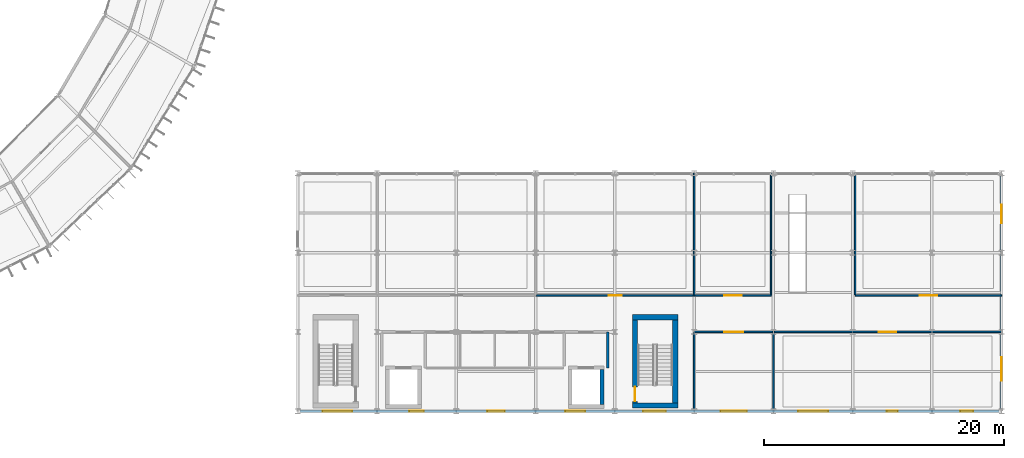
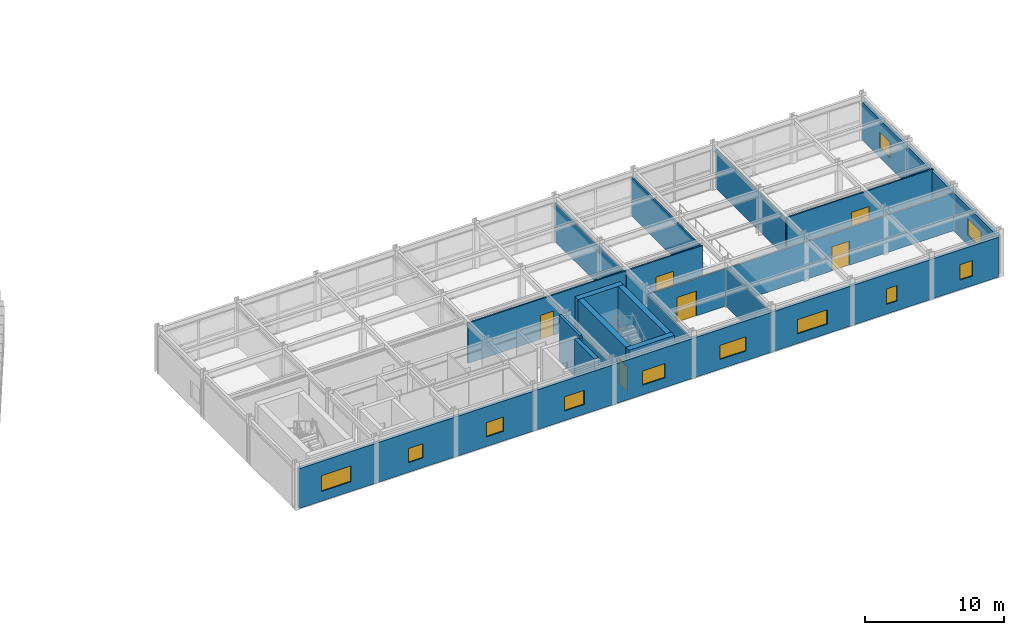
# One storey, part 130 of 147: 18 walls, 11 windows, 6 doors, 17 openings.
"""IFC4 building model written with IfcOpenShell, lengths in metres."""

from ifc_helpers import new_model, si_unit, direction, frame, frame_2d, origin, place, context, subcontext, project, spatial, rectangle, extrude, material, layer, layer_set, type_object, element, fill, save


model = new_model("IFC4")

# Units and contexts
model_context = context("Model", 3, precision=1e-05, world=origin(), true_north=direction((0.0, 1.0)))
body_context = subcontext(model_context, "Body", "Model", "MODEL_VIEW")
ifc_project = project(units=[si_unit("LENGTHUNIT", "METRE"), si_unit("AREAUNIT", "SQUARE_METRE"), si_unit("VOLUMEUNIT", "CUBIC_METRE"), si_unit("PLANEANGLEUNIT", "RADIAN"), si_unit("MASSUNIT", "GRAM", prefix="KILO")], contexts=[model_context])

# Site, building, storey
site_placement = place(None, origin())
site = spatial("IfcSite", under=ifc_project, at=site_placement, CompositionType="ELEMENT")
building_placement = place(site_placement, origin())
building = spatial("IfcBuilding", under=site, at=building_placement, Name="Karori Crest Natural Sciences Institute", CompositionType="ELEMENT")
storey_placement = place(building_placement, frame((0.0, 0.0, 9.10009765625)))
storey = spatial("IfcBuildingStorey", under=building, at=storey_placement, Name="L02", CompositionType="ELEMENT", Elevation=9.10009765625)

# Walls
ifc_material_1 = material(Name="Concrete 50 MPa", Category="concrete")
ifc_layer_1 = layer(ifc_material_1, 0.449951171875, Name="Concrete 50 MPa")
ifc_layer_set_1 = layer_set([ifc_layer_1], Name="Concrete 50 MPa")
wall_type_1 = type_object("IfcWallType", Name="IWT-01", PredefinedType="SHEAR", material=ifc_layer_set_1)
for number, where, z_axis, x_axis, name in (
    (1, (131.449951171875, 1.27490234375, 0.0), (0.0, 0.0, 1.0), (1.0, 0.0, 0.0), "Shear wall IW-0129"),
    (2, (131.449951171875, 8.625, 0.0), (0.0, 0.0, 1.0), (1.0, 0.0, 0.0), "Shear wall IW-0130"),
):
    element("IfcWall", number, at=place(storey_placement, frame(where, z_axis=z_axis, x_axis=x_axis)), inside=storey, type_object=wall_type_1, Name=name, PredefinedType="SHEAR", context=body_context, shape_type="SweptSolid", body=[
        extrude(rectangle(XDim=3.800048828125, YDim=0.449951171875, at=frame_2d((1.89990234375, 0.0))), origin(), (0.0, 0.0, 1.0), 4.02001953125),
    ])

# Wall, opening, door
wall_1_placement = place(storey_placement, frame((131.675048828125, 1.501953125, 0.0), z_axis=(0.0, 0.0, 1.0), x_axis=(0.0, 1.0, 0.0)))
wall_1 = element("IfcWall", 3, at=wall_1_placement, inside=storey, type_object=wall_type_1, Name="Shear wall IW-0131", PredefinedType="SHEAR", context=body_context, shape_type="SweptSolid", body=[
    extrude(rectangle(XDim=6.89599609375, YDim=0.449951171875, at=frame_2d((3.447998046875, 0.0))), origin(), (0.0, 0.0, 1.0), 4.02001953125),
])
opening_1_placement = place(wall_1_placement, frame((0.1201171875, 0.0, 0.0)))
opening_1 = element("IfcOpeningElement", 4, at=opening_1_placement, cuts=wall_1, Name="Opening ID-0033", PredefinedType="OPENING", context=body_context, shape_type="SweptSolid", body=[
    extrude(rectangle(XDim=1.199951171875, YDim=2.14990234375, at=frame_2d((0.60009765625, 1.074951171875))), frame((0.0, 0.23486328125, 0.0), z_axis=(0.0, -1.0, 0.0), x_axis=(1.0, 0.0, 0.0)), (0.0, 0.0, 1.0), 0.469970703125),
])
ifc_material_2 = material(Name="Stainless steel 316 and fire-rated timber", Category="steel")
door_type_1 = type_object("IfcDoorType", Name="IDT-01", OperationType="NOTDEFINED", PredefinedType="DOOR", material=ifc_material_2)
door_1_placement = place(opening_1_placement, origin())
door_1 = element("IfcDoor", 5, at=door_1_placement, inside=storey, type_object=door_type_1, Name="Stair ST-04 fire door ID-0033", OperationType="SINGLE_SWING_LEFT", OverallHeight=2.14990234375, OverallWidth=1.199951171875, PredefinedType="DOOR", context=body_context, shape_type="SweptSolid", body=[
    extrude(rectangle(XDim=1.199951171875, YDim=2.14990234375, at=frame_2d((0.60009765625, 1.074951171875))), frame((0.0, 0.02490234375, 0.0), z_axis=(0.0, -1.0, 0.0), x_axis=(1.0, 0.0, 0.0)), (0.0, 0.0, 1.0), 0.050048828125),
])
fill(opening_1, door_1)

# Walls
wall_2_placement = place(storey_placement, frame((135.02490234375, 1.501953125, 0.0), z_axis=(0.0, 0.0, 1.0), x_axis=(0.0, 1.0, 0.0)))
element("IfcWall", 6, at=wall_2_placement, inside=storey, type_object=wall_type_1, Name="Shear wall IW-0132", PredefinedType="SHEAR", context=body_context, shape_type="SweptSolid", body=[
    extrude(rectangle(XDim=6.89599609375, YDim=0.449951171875, at=frame_2d((3.447998046875, 0.0))), origin(), (0.0, 0.0, 1.0), 4.02001953125),
])
ifc_layer_2 = layer(ifc_material_1, 0.320068359375, Name="Concrete 50 MPa")
ifc_layer_set_2 = layer_set([ifc_layer_2], Name="Concrete 50 MPa")
wall_type_2 = type_object("IfcWallType", Name="IWT-03", PredefinedType="SHEAR", material=ifc_layer_set_2)
wall_3_placement = place(storey_placement, frame((128.919921875, 1.342041015625, 0.0), z_axis=(0.0, 0.0, 1.0), x_axis=(0.0, 1.0, 0.0)))
element("IfcWall", 7, at=wall_3_placement, inside=storey, type_object=wall_type_2, Name="Shear wall IW-0368", PredefinedType="SHEAR", context=body_context, shape_type="SweptSolid", body=[
    extrude(rectangle(XDim=2.916015625, YDim=0.320068359375, at=frame_2d((1.4580078125, 0.0))), origin(), (0.0, 0.0, 1.0), 4.02001953125),
])
ifc_material_3 = material(Name="Concrete 40 MPa", Category="concrete")
ifc_layer_3 = layer(ifc_material_3, 0.199951171875, Name="Concrete 40 MPa")
ifc_layer_set_3 = layer_set([ifc_layer_3], Name="Concrete 40 MPa")
wall_type_3 = type_object("IfcWallType", Name="IWT-04", PredefinedType="SOLIDWALL", material=ifc_layer_set_3)
wall_4_placement = place(storey_placement, frame((129.39990234375, 4.39990234375, 0.0), z_axis=(0.0, 0.0, 1.0), x_axis=(0.0, 1.0, 0.0)))
element("IfcWall", 8, at=wall_4_placement, inside=storey, type_object=wall_type_3, Name="Partition wall IW-0636", PredefinedType="SOLIDWALL", context=body_context, shape_type="SweptSolid", body=[
    extrude(rectangle(XDim=3.0, YDim=0.199951171875, at=frame_2d((1.5, 0.0))), origin(), (0.0, 0.0, 1.0), 4.02001953125),
])

# Wall, opening, door
ifc_material_4 = material(Name="Write-up office acoustic partition")
ifc_layer_4 = layer(ifc_material_4, 0.1201171875, Name="Write-up office acoustic partition")
ifc_layer_set_4 = layer_set([ifc_layer_4], Name="Write-up office acoustic partition")
wall_type_4 = type_object("IfcWallType", Name="IWT-08", PredefinedType="PARTITIONING", material=ifc_layer_set_4)
wall_5_placement = place(storey_placement, frame((136.60009765625, 7.39990234375, 0.0), z_axis=(0.0, 0.0, 1.0), x_axis=(1.0, 0.0, 0.0)))
wall_5 = element("IfcWall", 9, at=wall_5_placement, inside=storey, type_object=wall_type_4, Name="Partition wall IW-0648", PredefinedType="PARTITIONING", context=body_context, shape_type="SweptSolid", body=[
    extrude(rectangle(XDim=6.599853515625, YDim=0.1201171875, at=frame_2d((3.2998046875, 0.0))), origin(), (0.0, 0.0, 1.0), 3.29296875),
])
opening_2_placement = place(wall_5_placement, frame((2.5, 0.0, 0.0)))
opening_2 = element("IfcOpeningElement", 10, at=opening_2_placement, cuts=wall_5, Name="Opening ID-0117", PredefinedType="OPENING", context=body_context, shape_type="SweptSolid", body=[
    extrude(rectangle(XDim=1.60009765625, YDim=2.179931640625, at=frame_2d((0.800048828125, 1.08984375))), frame((0.0, 0.070068359375, 0.0), z_axis=(0.0, -1.0, 0.0), x_axis=(1.0, 0.0, 0.0)), (0.0, 0.0, 1.0), 0.14013671875),
])
ifc_material_5 = material(Name="Anodised aluminium and acoustic timber", Category="wood")
door_type_2 = type_object("IfcDoorType", Name="IDT-13", OperationType="DOUBLE_DOOR_SINGLE_SWING", PredefinedType="DOOR", material=ifc_material_5)
door_2_placement = place(opening_2_placement, origin())
door_2 = element("IfcDoor", 11, at=door_2_placement, inside=storey, type_object=door_type_2, Name="Seminar Room door ID-0117", OperationType="DOUBLE_DOOR_SINGLE_SWING", OverallHeight=2.179931640625, OverallWidth=1.60009765625, PredefinedType="DOOR", context=body_context, shape_type="SweptSolid", body=[
    extrude(rectangle(XDim=1.60009765625, YDim=2.179931640625, at=frame_2d((0.800048828125, 1.08984375))), frame((0.0, 0.02490234375, 0.0), z_axis=(0.0, -1.0, 0.0), x_axis=(1.0, 0.0, 0.0)), (0.0, 0.0, 1.0), 0.050048828125),
])
fill(opening_2, door_2)

# Walls
wall_6_placement = place(storey_placement, frame((136.60009765625, 0.94189453125, 0.0), z_axis=(0.0, 0.0, 1.0), x_axis=(0.0, 1.0, 0.0)))
element("IfcWall", 12, at=wall_6_placement, inside=storey, type_object=wall_type_4, Name="Partition wall IW-0649", PredefinedType="PARTITIONING", context=body_context, shape_type="SweptSolid", body=[
    extrude(rectangle(XDim=6.39599609375, YDim=0.1201171875, at=frame_2d((3.197998046875, 0.0))), origin(), (0.0, 0.0, 1.0), 3.371826171875),
])
wall_7_placement = place(storey_placement, frame((143.199951171875, 0.94189453125, 0.0), z_axis=(0.0, 0.0, 1.0), x_axis=(0.0, 1.0, 0.0)))
element("IfcWall", 13, at=wall_7_placement, inside=storey, type_object=wall_type_4, Name="Partition wall IW-0650", PredefinedType="PARTITIONING", context=body_context, shape_type="SweptSolid", body=[
    extrude(rectangle(XDim=6.4580078125, YDim=0.1201171875, at=frame_2d((3.22900390625, 0.0))), origin(), (0.0, 0.0, 1.0), 3.371826171875),
])

# Wall, opening, door
wall_8_placement = place(storey_placement, frame((143.201904296875, 7.39990234375, 0.0), z_axis=(0.0, 0.0, 1.0), x_axis=(1.0, 0.0, 0.0)))
wall_8 = element("IfcWall", 14, at=wall_8_placement, inside=storey, type_object=wall_type_4, Name="Partition wall IW-0651", PredefinedType="PARTITIONING", context=body_context, shape_type="SweptSolid", body=[
    extrude(rectangle(XDim=18.998046875, YDim=0.1201171875, at=frame_2d((9.4990234375, 0.0))), origin(), (0.0, 0.0, 1.0), 3.29296875),
])
opening_3_placement = place(wall_8_placement, frame((8.77392578125, 0.0, 0.0)))
opening_3 = element("IfcOpeningElement", 15, at=opening_3_placement, cuts=wall_8, Name="Opening ID-0118", PredefinedType="OPENING", context=body_context, shape_type="SweptSolid", body=[
    extrude(rectangle(XDim=1.449951171875, YDim=2.1201171875, at=frame_2d((0.72509765625, 1.06005859375))), frame((0.0, 0.070068359375, 0.0), z_axis=(0.0, -1.0, 0.0), x_axis=(1.0, 0.0, 0.0)), (0.0, 0.0, 1.0), 0.14013671875),
])
door_type_3 = type_object("IfcDoorType", Name="IDT-11", OperationType="DOUBLE_DOOR_SINGLE_SWING", PredefinedType="DOOR", material=ifc_material_5)
door_3_placement = place(opening_3_placement, origin())
door_3 = element("IfcDoor", 16, at=door_3_placement, inside=storey, type_object=door_type_3, Name="Research Library Reading Room door ID-0118", OperationType="DOUBLE_DOOR_SINGLE_SWING", OverallHeight=2.1201171875, OverallWidth=1.449951171875, PredefinedType="DOOR", context=body_context, shape_type="SweptSolid", body=[
    extrude(rectangle(XDim=1.449951171875, YDim=2.1201171875, at=frame_2d((0.72509765625, 1.06005859375))), frame((0.0, 0.02490234375, 0.0), z_axis=(0.0, -1.0, 0.0), x_axis=(1.0, 0.0, 0.0)), (0.0, 0.0, 1.0), 0.050048828125),
])
fill(opening_3, door_3)

wall_9_placement = place(storey_placement, frame((123.4619140625, 10.449951171875, 0.0), z_axis=(0.0, 0.0, 1.0), x_axis=(1.0, 0.0, 0.0)))
wall_9 = element("IfcWall", 17, at=wall_9_placement, inside=storey, type_object=wall_type_4, Name="Partition wall IW-0656", PredefinedType="PARTITIONING", context=body_context, shape_type="SweptSolid", body=[
    extrude(rectangle(XDim=13.13818359375, YDim=0.1201171875, at=frame_2d((6.569091796875, 0.0))), origin(), (0.0, 0.0, 1.0), 3.5458984375),
])
opening_4_placement = place(wall_9_placement, frame((6.029052734375, 0.0, 0.0)))
opening_4 = element("IfcOpeningElement", 18, at=opening_4_placement, cuts=wall_9, Name="Opening ID-0121", PredefinedType="OPENING", context=body_context, shape_type="SweptSolid", body=[
    extrude(rectangle(XDim=1.080078125, YDim=2.1201171875, at=frame_2d((0.5400390625, 1.06005859375))), frame((0.0, 0.070068359375, 0.0), z_axis=(0.0, -1.0, 0.0), x_axis=(1.0, 0.0, 0.0)), (0.0, 0.0, 1.0), 0.14013671875),
])
door_type_4 = type_object("IfcDoorType", Name="IDT-12", OperationType="NOTDEFINED", PredefinedType="DOOR", material=ifc_material_5)
door_4_placement = place(opening_4_placement, origin())
door_4 = element("IfcDoor", 19, at=door_4_placement, inside=storey, type_object=door_type_4, Name="Genomics Dry Studio door ID-0121", OperationType="SINGLE_SWING_RIGHT", OverallHeight=2.1201171875, OverallWidth=1.080078125, PredefinedType="DOOR", context=body_context, shape_type="SweptSolid", body=[
    extrude(rectangle(XDim=1.080078125, YDim=2.1201171875, at=frame_2d((0.5400390625, 1.06005859375))), frame((0.0, 0.02490234375, 0.0), z_axis=(0.0, -1.0, 0.0), x_axis=(1.0, 0.0, 0.0)), (0.0, 0.0, 1.0), 0.050048828125),
])
fill(opening_4, door_4)

# Wall
wall_10_placement = place(storey_placement, frame((136.60009765625, 10.449951171875, 0.0), z_axis=(0.0, 0.0, 1.0), x_axis=(0.0, 1.0, 0.0)))
element("IfcWall", 20, at=wall_10_placement, inside=storey, type_object=wall_type_4, Name="Partition wall IW-0657", PredefinedType="PARTITIONING", context=body_context, shape_type="SweptSolid", body=[
    extrude(rectangle(XDim=10.150146484375, YDim=0.1201171875, at=frame_2d((5.0751953125, 0.0))), origin(), (0.0, 0.0, 1.0), 3.371826171875),
])

# Wall, opening, door
wall_11_placement = place(storey_placement, frame((136.662109375, 10.449951171875, 0.0), z_axis=(0.0, 0.0, 1.0), x_axis=(1.0, 0.0, 0.0)))
wall_11 = element("IfcWall", 21, at=wall_11_placement, inside=storey, type_object=wall_type_4, Name="Partition wall IW-0658", PredefinedType="PARTITIONING", context=body_context, shape_type="SweptSolid", body=[
    extrude(rectangle(XDim=6.337890625, YDim=0.1201171875, at=frame_2d((3.1689453125, 0.0))), origin(), (0.0, 0.0, 1.0), 3.5458984375),
])
opening_5_placement = place(wall_11_placement, frame((2.444091796875, 0.0, 0.0)))
opening_5 = element("IfcOpeningElement", 22, at=opening_5_placement, cuts=wall_11, Name="Opening ID-0122", PredefinedType="OPENING", context=body_context, shape_type="SweptSolid", body=[
    extrude(rectangle(XDim=1.449951171875, YDim=2.1201171875, at=frame_2d((0.72509765625, 1.06005859375))), frame((0.0, 0.070068359375, 0.0), z_axis=(0.0, -1.0, 0.0), x_axis=(1.0, 0.0, 0.0)), (0.0, 0.0, 1.0), 0.14013671875),
])
door_5_placement = place(opening_5_placement, origin())
door_5 = element("IfcDoor", 23, at=door_5_placement, inside=storey, type_object=door_type_3, Name="Research Colloquium Room door ID-0122", OperationType="DOUBLE_DOOR_SINGLE_SWING", OverallHeight=2.1201171875, OverallWidth=1.449951171875, PredefinedType="DOOR", context=body_context, shape_type="SweptSolid", body=[
    extrude(rectangle(XDim=1.449951171875, YDim=2.1201171875, at=frame_2d((0.72509765625, 1.06005859375))), frame((0.0, 0.02490234375, 0.0), z_axis=(0.0, -1.0, 0.0), x_axis=(1.0, 0.0, 0.0)), (0.0, 0.0, 1.0), 0.050048828125),
])
fill(opening_5, door_5)

# Wall
wall_12_placement = place(storey_placement, frame((143.0, 10.449951171875, 0.0), z_axis=(0.0, 0.0, 1.0), x_axis=(0.0, 1.0, 0.0)))
element("IfcWall", 24, at=wall_12_placement, inside=storey, type_object=wall_type_4, Name="Partition wall IW-0659", PredefinedType="PARTITIONING", context=body_context, shape_type="SweptSolid", body=[
    extrude(rectangle(XDim=10.150146484375, YDim=0.1201171875, at=frame_2d((5.0751953125, 0.0))), origin(), (0.0, 0.0, 1.0), 3.371826171875),
])

# Wall, opening, door
wall_13_placement = place(storey_placement, frame((150.0, 10.449951171875, 0.0), z_axis=(0.0, 0.0, 1.0), x_axis=(1.0, 0.0, 0.0)))
wall_13 = element("IfcWall", 25, at=wall_13_placement, inside=storey, type_object=wall_type_4, Name="Partition wall IW-0660", PredefinedType="PARTITIONING", context=body_context, shape_type="SweptSolid", body=[
    extrude(rectangle(XDim=12.199951171875, YDim=0.1201171875, at=frame_2d((6.10009765625, 0.0))), origin(), (0.0, 0.0, 1.0), 3.5458984375),
])
opening_6_placement = place(wall_13_placement, frame((5.375, 0.0, 0.0)))
opening_6 = element("IfcOpeningElement", 26, at=opening_6_placement, cuts=wall_13, Name="Opening ID-0123", PredefinedType="OPENING", context=body_context, shape_type="SweptSolid", body=[
    extrude(rectangle(XDim=1.449951171875, YDim=2.1201171875, at=frame_2d((0.72509765625, 1.06005859375))), frame((0.0, 0.070068359375, 0.0), z_axis=(0.0, -1.0, 0.0), x_axis=(1.0, 0.0, 0.0)), (0.0, 0.0, 1.0), 0.14013671875),
])
door_6_placement = place(opening_6_placement, origin())
door_6 = element("IfcDoor", 27, at=door_6_placement, inside=storey, type_object=door_type_3, Name="Research Colloquium Room door ID-0123", OperationType="DOUBLE_DOOR_SINGLE_SWING", OverallHeight=2.1201171875, OverallWidth=1.449951171875, PredefinedType="DOOR", context=body_context, shape_type="SweptSolid", body=[
    extrude(rectangle(XDim=1.449951171875, YDim=2.1201171875, at=frame_2d((0.72509765625, 1.06005859375))), frame((0.0, 0.02490234375, 0.0), z_axis=(0.0, -1.0, 0.0), x_axis=(1.0, 0.0, 0.0)), (0.0, 0.0, 1.0), 0.050048828125),
])
fill(opening_6, door_6)

# Wall
wall_14_placement = place(storey_placement, frame((150.0, 10.511962890625, 0.0), z_axis=(0.0, 0.0, 1.0), x_axis=(0.0, 1.0, 0.0)))
element("IfcWall", 28, at=wall_14_placement, inside=storey, type_object=wall_type_4, Name="Partition wall IW-0661", PredefinedType="PARTITIONING", context=body_context, shape_type="SweptSolid", body=[
    extrude(rectangle(XDim=10.088134765625, YDim=0.1201171875, at=frame_2d((5.0439453125, 0.0))), origin(), (0.0, 0.0, 1.0), 3.371826171875),
])

# Wall, openings, windows
ifc_material_6 = material(Name="Precast concrete 40 MPa", Category="concrete")
ifc_layer_5 = layer(ifc_material_6, 0.239990234375, Name="Precast concrete 40 MPa")
ifc_layer_set_5 = layer_set([ifc_layer_5], Name="Precast concrete 40 MPa")
wall_type_5 = type_object("IfcWallType", Name="WT-04", PredefinedType="SOLIDWALL", material=ifc_layer_set_5)
wall_15_placement = place(storey_placement, frame((162.199951171875, 20.402099609375, 0.0), z_axis=(0.0, 0.0, 1.0), x_axis=(0.0, -1.0, 0.0)))
wall_15 = element("IfcWall", 29, at=wall_15_placement, inside=storey, type_object=wall_type_5, Name="Exterior wall EW-0201", PredefinedType="SOLIDWALL", context=body_context, shape_type="SweptSolid", body=[
    extrude(rectangle(XDim=19.404052734375, YDim=0.239990234375, at=frame_2d((9.7021484375, 0.0))), origin(), (0.0, 0.0, 1.0), 3.371826171875),
])
opening_7_placement = place(wall_15_placement, frame((2.39990234375, 0.0, 0.85009765625)))
opening_7 = element("IfcOpeningElement", 30, at=opening_7_placement, cuts=wall_15, Name="Opening WN-0145", PredefinedType="OPENING", context=body_context, shape_type="SweptSolid", body=[
    extrude(rectangle(XDim=1.550048828125, YDim=1.39990234375, at=frame_2d((0.77490234375, 0.699951171875))), frame((0.0, 0.1298828125, 0.0), z_axis=(0.0, -1.0, 0.0), x_axis=(1.0, 0.0, 0.0)), (0.0, 0.0, 1.0), 0.260009765625),
])
opening_8_placement = place(wall_15_placement, frame((15.10009765625, 0.0, 0.85009765625)))
opening_8 = element("IfcOpeningElement", 31, at=opening_8_placement, cuts=wall_15, Name="Opening WN-0146", PredefinedType="OPENING", context=body_context, shape_type="SweptSolid", body=[
    extrude(rectangle(XDim=1.949951171875, YDim=1.5, at=frame_2d((0.97509765625, 0.75))), frame((0.0, 0.1298828125, 0.0), z_axis=(0.0, -1.0, 0.0), x_axis=(1.0, 0.0, 0.0)), (0.0, 0.0, 1.0), 0.260009765625),
])
ifc_material_7 = material(Name="Double low-E laminated glass", Category="glass")
window_type_1 = type_object("IfcWindowType", Name="WNT-04", PartitioningType="SINGLE_PANEL", PredefinedType="WINDOW", material=ifc_material_7)
window_1_placement = place(opening_7_placement, origin())
window_1 = element("IfcWindow", 32, at=window_1_placement, inside=storey, type_object=window_type_1, Name="Window WN-0145", OverallHeight=1.39990234375, OverallWidth=1.550048828125, PartitioningType="SINGLE_PANEL", PredefinedType="WINDOW", context=body_context, shape_type="SweptSolid", body=[
    extrude(rectangle(XDim=1.550048828125, YDim=1.39990234375, at=frame_2d((0.77490234375, 0.699951171875))), frame((0.0, 0.030029296875, 0.0), z_axis=(0.0, -1.0, 0.0), x_axis=(1.0, 0.0, 0.0)), (0.0, 0.0, 1.0), 0.06005859375),
])
fill(opening_7, window_1)
window_type_2 = type_object("IfcWindowType", Name="WNT-21", PartitioningType="SINGLE_PANEL", PredefinedType="WINDOW", material=ifc_material_7)
window_2_placement = place(opening_8_placement, origin())
window_2 = element("IfcWindow", 33, at=window_2_placement, inside=storey, type_object=window_type_2, Name="Window WN-0146", OverallHeight=1.5, OverallWidth=1.949951171875, PartitioningType="SINGLE_PANEL", PredefinedType="WINDOW", context=body_context, shape_type="SweptSolid", body=[
    extrude(rectangle(XDim=1.949951171875, YDim=1.5, at=frame_2d((0.97509765625, 0.75))), frame((0.0, 0.030029296875, 0.0), z_axis=(0.0, -1.0, 0.0), x_axis=(1.0, 0.0, 0.0)), (0.0, 0.0, 1.0), 0.06005859375),
])
fill(opening_8, window_2)

wall_16_placement = place(storey_placement, frame((162.001953125, 0.800048828125, 0.0), z_axis=(0.0, 0.0, 1.0), x_axis=(-1.0, 0.0, 0.0)))
wall_16 = element("IfcWall", 34, at=wall_16_placement, inside=storey, type_object=wall_type_5, Name="Exterior wall EW-0202", PredefinedType="SOLIDWALL", context=body_context, shape_type="SweptSolid", body=[
    extrude(rectangle(XDim=58.203857421875, YDim=0.239990234375, at=frame_2d((29.10205078125, 0.0))), origin(), (0.0, 0.0, 1.0), 3.5048828125),
])
opening_9_placement = place(wall_16_placement, frame((53.876953125, 0.0, 0.85009765625)))
opening_9 = element("IfcOpeningElement", 35, at=opening_9_placement, cuts=wall_16, Name="Opening WN-0147", PredefinedType="OPENING", context=body_context, shape_type="SweptSolid", body=[
    extrude(rectangle(XDim=2.449951171875, YDim=1.39990234375, at=frame_2d((1.22509765625, 0.699951171875))), frame((0.0, 0.1298828125, 0.0), z_axis=(0.0, -1.0, 0.0), x_axis=(1.0, 0.0, 0.0)), (0.0, 0.0, 1.0), 0.260009765625),
])
opening_10_placement = place(wall_16_placement, frame((47.902099609375, 0.0, 0.85009765625)))
opening_10 = element("IfcOpeningElement", 36, at=opening_10_placement, cuts=wall_16, Name="Opening WN-0148", PredefinedType="OPENING", context=body_context, shape_type="SweptSolid", body=[
    extrude(rectangle(XDim=1.199951171875, YDim=1.25, at=frame_2d((0.60009765625, 0.625))), frame((0.0, 0.1298828125, 0.0), z_axis=(0.0, -1.0, 0.0), x_axis=(1.0, 0.0, 0.0)), (0.0, 0.0, 1.0), 0.260009765625),
])
opening_11_placement = place(wall_16_placement, frame((41.177001953125, 0.0, 0.85009765625)))
opening_11 = element("IfcOpeningElement", 37, at=opening_11_placement, cuts=wall_16, Name="Opening WN-0149", PredefinedType="OPENING", context=body_context, shape_type="SweptSolid", body=[
    extrude(rectangle(XDim=1.449951171875, YDim=1.25, at=frame_2d((0.72509765625, 0.625))), frame((0.0, 0.1298828125, 0.0), z_axis=(0.0, -1.0, 0.0), x_axis=(1.0, 0.0, 0.0)), (0.0, 0.0, 1.0), 0.260009765625),
])
opening_12_placement = place(wall_16_placement, frame((34.47705078125, 0.0, 0.85009765625)))
opening_12 = element("IfcOpeningElement", 38, at=opening_12_placement, cuts=wall_16, Name="Opening WN-0150", PredefinedType="OPENING", context=body_context, shape_type="SweptSolid", body=[
    extrude(rectangle(XDim=1.64990234375, YDim=1.25, at=frame_2d((0.824951171875, 0.625))), frame((0.0, 0.1298828125, 0.0), z_axis=(0.0, -1.0, 0.0), x_axis=(1.0, 0.0, 0.0)), (0.0, 0.0, 1.0), 0.260009765625),
])
opening_13_placement = place(wall_16_placement, frame((27.751953125, 0.0, 0.85009765625)))
opening_13 = element("IfcOpeningElement", 39, at=opening_13_placement, cuts=wall_16, Name="Opening WN-0151", PredefinedType="OPENING", context=body_context, shape_type="SweptSolid", body=[
    extrude(rectangle(XDim=1.89990234375, YDim=1.25, at=frame_2d((0.949951171875, 0.625))), frame((0.0, 0.1298828125, 0.0), z_axis=(0.0, -1.0, 0.0), x_axis=(1.0, 0.0, 0.0)), (0.0, 0.0, 1.0), 0.260009765625),
])
opening_14_placement = place(wall_16_placement, frame((21.001953125, 0.0, 0.85009765625)))
opening_14 = element("IfcOpeningElement", 40, at=opening_14_placement, cuts=wall_16, Name="Opening WN-0152", PredefinedType="OPENING", context=body_context, shape_type="SweptSolid", body=[
    extrude(rectangle(XDim=2.199951171875, YDim=1.25, at=frame_2d((1.10009765625, 0.625))), frame((0.0, 0.1298828125, 0.0), z_axis=(0.0, -1.0, 0.0), x_axis=(1.0, 0.0, 0.0)), (0.0, 0.0, 1.0), 0.260009765625),
])
opening_15_placement = place(wall_16_placement, frame((14.251953125, 0.0, 0.85009765625)))
opening_15 = element("IfcOpeningElement", 41, at=opening_15_placement, cuts=wall_16, Name="Opening WN-0153", PredefinedType="OPENING", context=body_context, shape_type="SweptSolid", body=[
    extrude(rectangle(XDim=2.5, YDim=1.25, at=frame_2d((1.25, 0.625))), frame((0.0, 0.1298828125, 0.0), z_axis=(0.0, -1.0, 0.0), x_axis=(1.0, 0.0, 0.0)), (0.0, 0.0, 1.0), 0.260009765625),
])
opening_16_placement = place(wall_16_placement, frame((8.451904296875, 0.0, 0.85009765625)))
opening_16 = element("IfcOpeningElement", 42, at=opening_16_placement, cuts=wall_16, Name="Opening WN-0154", PredefinedType="OPENING", context=body_context, shape_type="SweptSolid", body=[
    extrude(rectangle(XDim=0.89990234375, YDim=1.35009765625, at=frame_2d((0.449951171875, 0.675048828125))), frame((0.0, 0.1298828125, 0.0), z_axis=(0.0, -1.0, 0.0), x_axis=(1.0, 0.0, 0.0)), (0.0, 0.0, 1.0), 0.260009765625),
])
opening_17_placement = place(wall_16_placement, frame((2.177001953125, 0.0, 0.85009765625)))
opening_17 = element("IfcOpeningElement", 43, at=opening_17_placement, cuts=wall_16, Name="Opening WN-0155", PredefinedType="OPENING", context=body_context, shape_type="SweptSolid", body=[
    extrude(rectangle(XDim=1.050048828125, YDim=1.35009765625, at=frame_2d((0.52490234375, 0.675048828125))), frame((0.0, 0.1298828125, 0.0), z_axis=(0.0, -1.0, 0.0), x_axis=(1.0, 0.0, 0.0)), (0.0, 0.0, 1.0), 0.260009765625),
])
window_type_3 = type_object("IfcWindowType", Name="WNT-10", PartitioningType="SINGLE_PANEL", PredefinedType="WINDOW", material=ifc_material_7)
window_3_placement = place(opening_9_placement, origin())
window_3 = element("IfcWindow", 44, at=window_3_placement, inside=storey, type_object=window_type_3, Name="Window WN-0147", OverallHeight=1.39990234375, OverallWidth=2.449951171875, PartitioningType="SINGLE_PANEL", PredefinedType="WINDOW", context=body_context, shape_type="SweptSolid", body=[
    extrude(rectangle(XDim=2.449951171875, YDim=1.39990234375, at=frame_2d((1.22509765625, 0.699951171875))), frame((0.0, 0.030029296875, 0.0), z_axis=(0.0, -1.0, 0.0), x_axis=(1.0, 0.0, 0.0)), (0.0, 0.0, 1.0), 0.06005859375),
])
fill(opening_9, window_3)
window_type_4 = type_object("IfcWindowType", Name="WNT-11", PartitioningType="SINGLE_PANEL", PredefinedType="WINDOW", material=ifc_material_7)
window_4_placement = place(opening_10_placement, origin())
window_4 = element("IfcWindow", 45, at=window_4_placement, inside=storey, type_object=window_type_4, Name="Window WN-0148", OverallHeight=1.25, OverallWidth=1.199951171875, PartitioningType="SINGLE_PANEL", PredefinedType="WINDOW", context=body_context, shape_type="SweptSolid", body=[
    extrude(rectangle(XDim=1.199951171875, YDim=1.25, at=frame_2d((0.60009765625, 0.625))), frame((0.0, 0.030029296875, 0.0), z_axis=(0.0, -1.0, 0.0), x_axis=(1.0, 0.0, 0.0)), (0.0, 0.0, 1.0), 0.06005859375),
])
fill(opening_10, window_4)
window_type_5 = type_object("IfcWindowType", Name="WNT-12", PartitioningType="SINGLE_PANEL", PredefinedType="WINDOW", material=ifc_material_7)
window_5_placement = place(opening_11_placement, origin())
window_5 = element("IfcWindow", 46, at=window_5_placement, inside=storey, type_object=window_type_5, Name="Window WN-0149", OverallHeight=1.25, OverallWidth=1.449951171875, PartitioningType="SINGLE_PANEL", PredefinedType="WINDOW", context=body_context, shape_type="SweptSolid", body=[
    extrude(rectangle(XDim=1.449951171875, YDim=1.25, at=frame_2d((0.72509765625, 0.625))), frame((0.0, 0.030029296875, 0.0), z_axis=(0.0, -1.0, 0.0), x_axis=(1.0, 0.0, 0.0)), (0.0, 0.0, 1.0), 0.06005859375),
])
fill(opening_11, window_5)
window_type_6 = type_object("IfcWindowType", Name="WNT-13", PartitioningType="SINGLE_PANEL", PredefinedType="WINDOW", material=ifc_material_7)
window_6_placement = place(opening_12_placement, origin())
window_6 = element("IfcWindow", 47, at=window_6_placement, inside=storey, type_object=window_type_6, Name="Window WN-0150", OverallHeight=1.25, OverallWidth=1.64990234375, PartitioningType="SINGLE_PANEL", PredefinedType="WINDOW", context=body_context, shape_type="SweptSolid", body=[
    extrude(rectangle(XDim=1.64990234375, YDim=1.25, at=frame_2d((0.824951171875, 0.625))), frame((0.0, 0.030029296875, 0.0), z_axis=(0.0, -1.0, 0.0), x_axis=(1.0, 0.0, 0.0)), (0.0, 0.0, 1.0), 0.06005859375),
])
fill(opening_12, window_6)
window_type_7 = type_object("IfcWindowType", Name="WNT-14", PartitioningType="SINGLE_PANEL", PredefinedType="WINDOW", material=ifc_material_7)
window_7_placement = place(opening_13_placement, origin())
window_7 = element("IfcWindow", 48, at=window_7_placement, inside=storey, type_object=window_type_7, Name="Window WN-0151", OverallHeight=1.25, OverallWidth=1.89990234375, PartitioningType="SINGLE_PANEL", PredefinedType="WINDOW", context=body_context, shape_type="SweptSolid", body=[
    extrude(rectangle(XDim=1.89990234375, YDim=1.25, at=frame_2d((0.949951171875, 0.625))), frame((0.0, 0.030029296875, 0.0), z_axis=(0.0, -1.0, 0.0), x_axis=(1.0, 0.0, 0.0)), (0.0, 0.0, 1.0), 0.06005859375),
])
fill(opening_13, window_7)
window_type_8 = type_object("IfcWindowType", Name="WNT-15", PartitioningType="SINGLE_PANEL", PredefinedType="WINDOW", material=ifc_material_7)
window_8_placement = place(opening_14_placement, origin())
window_8 = element("IfcWindow", 49, at=window_8_placement, inside=storey, type_object=window_type_8, Name="Window WN-0152", OverallHeight=1.25, OverallWidth=2.199951171875, PartitioningType="SINGLE_PANEL", PredefinedType="WINDOW", context=body_context, shape_type="SweptSolid", body=[
    extrude(rectangle(XDim=2.199951171875, YDim=1.25, at=frame_2d((1.10009765625, 0.625))), frame((0.0, 0.030029296875, 0.0), z_axis=(0.0, -1.0, 0.0), x_axis=(1.0, 0.0, 0.0)), (0.0, 0.0, 1.0), 0.06005859375),
])
fill(opening_14, window_8)
window_type_9 = type_object("IfcWindowType", Name="WNT-16", PartitioningType="SINGLE_PANEL", PredefinedType="WINDOW", material=ifc_material_7)
window_9_placement = place(opening_15_placement, origin())
window_9 = element("IfcWindow", 50, at=window_9_placement, inside=storey, type_object=window_type_9, Name="Window WN-0153", OverallHeight=1.25, OverallWidth=2.5, PartitioningType="SINGLE_PANEL", PredefinedType="WINDOW", context=body_context, shape_type="SweptSolid", body=[
    extrude(rectangle(XDim=2.5, YDim=1.25, at=frame_2d((1.25, 0.625))), frame((0.0, 0.030029296875, 0.0), z_axis=(0.0, -1.0, 0.0), x_axis=(1.0, 0.0, 0.0)), (0.0, 0.0, 1.0), 0.06005859375),
])
fill(opening_15, window_9)
window_type_10 = type_object("IfcWindowType", Name="WNT-17", PartitioningType="SINGLE_PANEL", PredefinedType="WINDOW", material=ifc_material_7)
window_10_placement = place(opening_16_placement, origin())
window_10 = element("IfcWindow", 51, at=window_10_placement, inside=storey, type_object=window_type_10, Name="Window WN-0154", OverallHeight=1.35009765625, OverallWidth=0.89990234375, PartitioningType="SINGLE_PANEL", PredefinedType="WINDOW", context=body_context, shape_type="SweptSolid", body=[
    extrude(rectangle(XDim=0.89990234375, YDim=1.35009765625, at=frame_2d((0.449951171875, 0.675048828125))), frame((0.0, 0.030029296875, 0.0), z_axis=(0.0, -1.0, 0.0), x_axis=(1.0, 0.0, 0.0)), (0.0, 0.0, 1.0), 0.06005859375),
])
fill(opening_16, window_10)
window_type_11 = type_object("IfcWindowType", Name="WNT-18", PartitioningType="SINGLE_PANEL", PredefinedType="WINDOW", material=ifc_material_7)
window_11_placement = place(opening_17_placement, origin())
window_11 = element("IfcWindow", 52, at=window_11_placement, inside=storey, type_object=window_type_11, Name="Window WN-0155", OverallHeight=1.35009765625, OverallWidth=1.050048828125, PartitioningType="SINGLE_PANEL", PredefinedType="WINDOW", context=body_context, shape_type="SweptSolid", body=[
    extrude(rectangle(XDim=1.050048828125, YDim=1.35009765625, at=frame_2d((0.52490234375, 0.675048828125))), frame((0.0, 0.030029296875, 0.0), z_axis=(0.0, -1.0, 0.0), x_axis=(1.0, 0.0, 0.0)), (0.0, 0.0, 1.0), 0.06005859375),
])
fill(opening_17, window_11)

save(model, "model.ifc")
